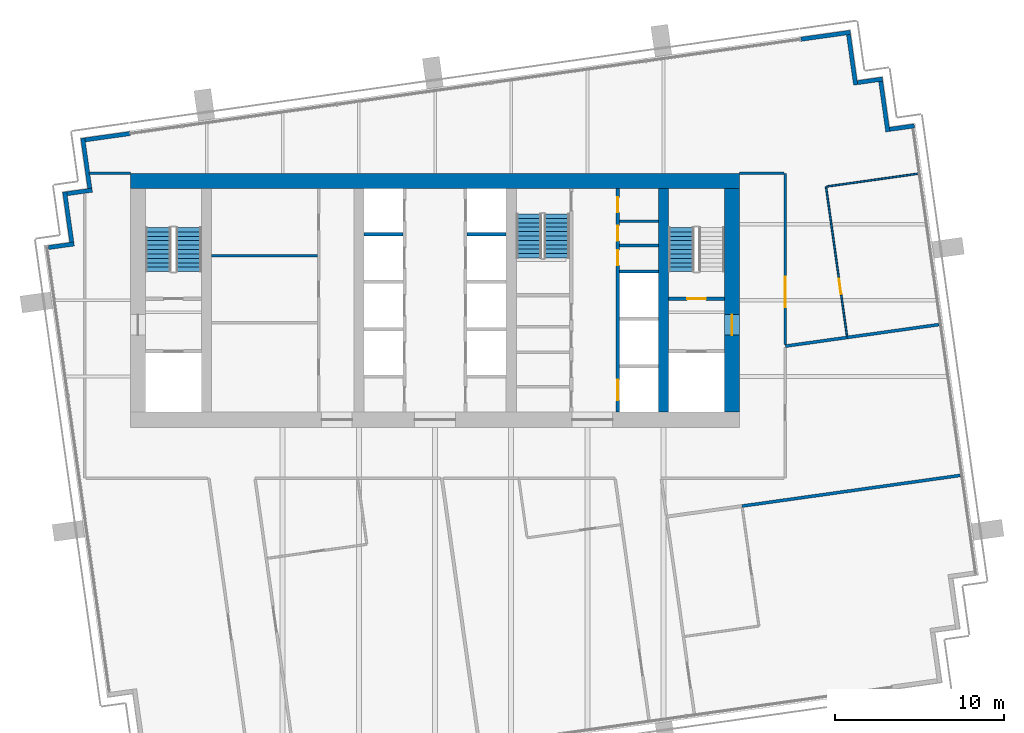
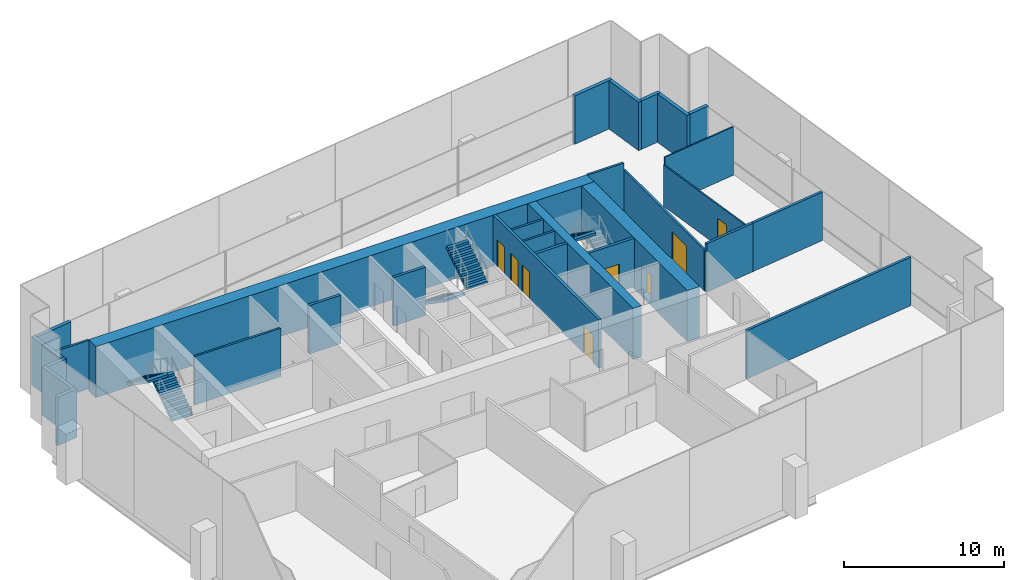
# One storey, part 11 of 17: 29 walls, 8 doors, 5 stair flights, 8 openings, 3 elements without a shape of their own.
"""IFC4 building model written with IfcOpenShell, lengths in metres."""

from ifc_helpers import new_model, si_unit, direction, frame, frame_2d, origin, place, context, subcontext, project, spatial, polyline, rectangle, outline, extrude, material, layer, layer_set, type_object, element, fill, aggregate, save


model = new_model("IFC4")

# Units and contexts
model_context = context("Model", 3, precision=1e-05, world=origin(), true_north=direction((0.0, 1.0)))
body_context = subcontext(model_context, "Body", "Model", "MODEL_VIEW")
ifc_project = project(units=[si_unit("LENGTHUNIT", "METRE"), si_unit("AREAUNIT", "SQUARE_METRE"), si_unit("VOLUMEUNIT", "CUBIC_METRE"), si_unit("PLANEANGLEUNIT", "RADIAN"), si_unit("MASSUNIT", "GRAM", prefix="KILO")], contexts=[model_context])

# Site, building, storey
site_placement = place(None, origin())
site = spatial("IfcSite", under=ifc_project, at=site_placement, CompositionType="ELEMENT")
building_placement = place(site_placement, origin())
building = spatial("IfcBuilding", under=site, at=building_placement, Name="Rattan Terrace Tower", CompositionType="ELEMENT")
storey_placement = place(building_placement, frame((0.0, 0.0, 236.89990234375)))
storey = spatial("IfcBuildingStorey", under=building, at=storey_placement, Name="L54", CompositionType="ELEMENT", Elevation=236.89990234375)

# Walls
ifc_material_1 = material(Name="Gypsum board partition")
ifc_layer_1 = layer(ifc_material_1, 0.14990234375)
ifc_layer_set_1 = layer_set([ifc_layer_1], Name="Core partition 150")
wall_type_1 = type_object("IfcWallType", Name="Core partition 150", PredefinedType="PARTITIONING", material=ifc_layer_set_1)
wall_1_placement = place(storey_placement, frame((-13.199951171875, 2.639892578125, 0.0), z_axis=(0.0, 0.0, 1.0), x_axis=(1.0, 0.0, 0.0)))
element("IfcWall", 1, at=wall_1_placement, inside=storey, type_object=wall_type_1, Name="Core room wall", PredefinedType="PARTITIONING", context=body_context, shape_type="SweptSolid", body=[
    extrude(rectangle(XDim=6.25, YDim=0.14990234375, at=frame_2d((3.125, 0.0))), origin(), (0.0, 0.0, 1.0), 3.7001953125),
])
for number, where, z_axis, x_axis, name in (
    (2, (10.89990234375, 3.239990234375, 0.0), (0.0, 0.0, 1.0), (1.0, 0.0, 0.0), "Riser room wall"),
    (3, (10.89990234375, 4.679931640625, 0.0), (0.0, 0.0, 1.0), (1.0, 0.0, 0.0), "Riser room wall"),
):
    element("IfcWall", number, at=place(storey_placement, frame(where, z_axis=z_axis, x_axis=x_axis)), inside=storey, type_object=wall_type_1, Name=name, PredefinedType="PARTITIONING", context=body_context, shape_type="SweptSolid", body=[
        extrude(rectangle(XDim=2.300048828125, YDim=0.14990234375, at=frame_2d((1.14990234375, 0.0))), origin(), (0.0, 0.0, 1.0), 3.7001953125),
    ])

# Wall, opening, door
ifc_material_2 = material(Name="Gypsum board partition")
ifc_layer_2 = layer(ifc_material_2, 0.199951171875)
ifc_layer_set_2 = layer_set([ifc_layer_2], Name="Core partition 200")
wall_type_2 = type_object("IfcWallType", Name="Core partition 200", PredefinedType="PARTITIONING", material=ifc_layer_set_2)
wall_2_placement = place(storey_placement, frame((13.800048828125, 0.10009765625, 0.0), z_axis=(0.0, 0.0, 1.0), x_axis=(1.0, 0.0, 0.0)))
wall_2 = element("IfcWall", 4, at=wall_2_placement, inside=storey, type_object=wall_type_2, Name="Stair enclosure wall", PredefinedType="PARTITIONING", context=body_context, shape_type="SweptSolid", body=[
    extrude(rectangle(XDim=3.300048828125, YDim=0.199951171875, at=frame_2d((1.64990234375, 0.0))), origin(), (0.0, 0.0, 1.0), 3.7001953125),
])
opening_1_placement = place(wall_2_placement, frame((1.10009765625, 0.0, 0.0)))
opening_1 = element("IfcOpeningElement", 5, at=opening_1_placement, cuts=wall_2, Name="Opening L54-D004", PredefinedType="OPENING", context=body_context, shape_type="SweptSolid", body=[
    extrude(rectangle(XDim=1.10009765625, YDim=2.10009765625, at=frame_2d((0.550048828125, 1.050048828125))), frame((0.0, 0.110595703125, 0.0), z_axis=(0.0, -1.0, 0.0), x_axis=(1.0, 0.0, 0.0)), (0.0, 0.0, 1.0), 0.220947265625),
])
ifc_material_3 = material(Name="Hollow-metal fire door leaf")
door_type_1 = type_object("IfcDoorType", Name="Core stair door 1100", OperationType="NOTDEFINED", PredefinedType="DOOR", material=ifc_material_3)
door_1_placement = place(opening_1_placement, origin())
door_1 = element("IfcDoor", 6, at=door_1_placement, inside=storey, type_object=door_type_1, Name="Door L54-D004", OperationType="SINGLE_SWING_LEFT", OverallHeight=2.10009765625, OverallWidth=1.10009765625, PredefinedType="DOOR", context=body_context, shape_type="SweptSolid", body=[
    extrude(rectangle(XDim=1.10009765625, YDim=2.10009765625, at=frame_2d((0.550048828125, 1.050048828125))), frame((0.0, 0.02490234375, 0.0), z_axis=(0.0, -1.0, 0.0), x_axis=(1.0, 0.0, 0.0)), (0.0, 0.0, 1.0), 0.050048828125),
])
fill(opening_1, door_1)

# Wall
ifc_material_4 = material(Name="Concrete C50/60", Category="concrete")
ifc_layer_3 = layer(ifc_material_4, 0.89990234375)
ifc_layer_set_3 = layer_set([ifc_layer_3], Name="Core ring wall 900 C50/60")
wall_type_3 = type_object("IfcWallType", Name="Core ring wall 900 C50/60", PredefinedType="SHEAR", material=ifc_layer_set_3)
wall_3_placement = place(storey_placement, frame((-18.0, 7.050048828125, -0.199951171875), z_axis=(0.0, 0.0, 1.0), x_axis=(1.0, 0.0, 0.0)))
element("IfcWall", 7, at=wall_3_placement, inside=storey, type_object=wall_type_3, Name="Rear core wall north", PredefinedType="SHEAR", context=body_context, shape_type="SweptSolid", body=[
    extrude(rectangle(XDim=36.0, YDim=0.89990234375, at=frame_2d((18.0, 0.0))), origin(), (0.0, 0.0, 1.0), 3.900146484375),
])

# Wall, opening, door
wall_4_placement = place(storey_placement, frame((17.550048828125, -6.60009765625, -0.199951171875), z_axis=(0.0, 0.0, 1.0), x_axis=(0.0, 1.0, 0.0)))
wall_4 = element("IfcWall", 8, at=wall_4_placement, inside=storey, type_object=wall_type_3, Name="Rear core wall east", PredefinedType="SHEAR", context=body_context, shape_type="SweptSolid", body=[
    extrude(rectangle(XDim=13.2001953125, YDim=0.89990234375, at=frame_2d((6.60009765625, 0.0))), origin(), (0.0, 0.0, 1.0), 3.900146484375),
])
opening_2_placement = place(wall_4_placement, frame((4.550048828125, 0.0, 0.199951171875)))
opening_2 = element("IfcOpeningElement", 9, at=opening_2_placement, cuts=wall_4, Name="Opening L54-D003", PredefinedType="OPENING", context=body_context, shape_type="SweptSolid", body=[
    extrude(rectangle(XDim=1.199951171875, YDim=2.10009765625, at=frame_2d((0.60009765625, 1.050048828125))), frame((0.0, 0.46044921875, 0.0), z_axis=(0.0, -1.0, 0.0), x_axis=(1.0, 0.0, 0.0)), (0.0, 0.0, 1.0), 0.9208984375),
])
ifc_material_5 = material(Name="Hollow-metal fire door leaf")
door_type_2 = type_object("IfcDoorType", Name="Core fire-fighting lobby door 1200", OperationType="NOTDEFINED", PredefinedType="DOOR", material=ifc_material_5)
door_2_placement = place(opening_2_placement, origin())
door_2 = element("IfcDoor", 10, at=door_2_placement, inside=storey, type_object=door_type_2, Name="Door L54-D003", OperationType="SINGLE_SWING_RIGHT", OverallHeight=2.10009765625, OverallWidth=1.199951171875, PredefinedType="DOOR", context=body_context, shape_type="SweptSolid", body=[
    extrude(rectangle(XDim=1.199951171875, YDim=2.10009765625, at=frame_2d((0.60009765625, 1.050048828125))), frame((0.0, 0.02490234375, 0.0), z_axis=(0.0, -1.0, 0.0), x_axis=(1.0, 0.0, 0.0)), (0.0, 0.0, 1.0), 0.050048828125),
])
fill(opening_2, door_2)

# Walls
ifc_material_6 = material(Name="Concrete C50/60", Category="concrete")
ifc_layer_4 = layer(ifc_material_6, 0.60009765625)
ifc_layer_set_4 = layer_set([ifc_layer_4], Name="Core spine wall 600 C50/60")
wall_type_4 = type_object("IfcWallType", Name="Core spine wall 600 C50/60", PredefinedType="SHEAR", material=ifc_layer_set_4)
wall_5_placement = place(storey_placement, frame((13.5, -6.60009765625, -0.199951171875), z_axis=(0.0, 0.0, 1.0), x_axis=(0.0, 1.0, 0.0)))
element("IfcWall", 11, at=wall_5_placement, inside=storey, type_object=wall_type_4, Name="Core spine wall 4", PredefinedType="SHEAR", context=body_context, shape_type="SweptSolid", body=[
    extrude(rectangle(XDim=13.2001953125, YDim=0.60009765625, at=frame_2d((6.60009765625, 0.0))), origin(), (0.0, 0.0, 1.0), 3.900146484375),
])
ifc_material_7 = material(Name="Insulated aluminium-clad stud wall", Category="aluminium")
ifc_layer_5 = layer(ifc_material_7, 0.25)
ifc_layer_set_5 = layer_set([ifc_layer_5], Name="Facade Riser Wall 250")
wall_type_5 = type_object("IfcWallType", Name="Facade Riser Wall 250", PredefinedType="SOLIDWALL", material=ifc_layer_set_5)
wall_6_placement = place(storey_placement, frame((28.322265625, 10.308837890625, 0.0), z_axis=(0.0, 0.0, 1.0), x_axis=(-0.990235520307, -0.13940449893, 0.0)))
element("IfcWall", 12, at=wall_6_placement, inside=storey, type_object=wall_type_5, Name="Riser wall L54-6", PredefinedType="SOLIDWALL", context=body_context, shape_type="SweptSolid", body=[
    extrude(rectangle(XDim=1.474609375, YDim=0.25, at=frame_2d((0.7373046875, 0.0))), origin(), (0.0, 0.0, 1.0), 3.7001953125),
])
wall_7_placement = place(storey_placement, frame((26.755859375, 9.962158203125, 0.0), z_axis=(0.0, 0.0, 1.0), x_axis=(-0.139393225799, 0.990237107263, 0.0)))
element("IfcWall", 13, at=wall_7_placement, inside=storey, type_object=wall_type_5, Name="Riser wall L54-7", PredefinedType="SOLIDWALL", context=body_context, shape_type="SweptSolid", body=[
    extrude(rectangle(XDim=3.000244140625, YDim=0.25, at=frame_2d((1.5, 0.0))), origin(), (0.0, 0.0, 1.0), 3.7001953125),
])
wall_8_placement = place(storey_placement, frame((26.444091796875, 13.074462890625, 0.0), z_axis=(0.0, 0.0, 1.0), x_axis=(-0.990240434918, -0.139369584395, 0.0)))
element("IfcWall", 14, at=wall_8_placement, inside=storey, type_object=wall_type_5, Name="Riser wall L54-8", PredefinedType="SOLIDWALL", context=body_context, shape_type="SweptSolid", body=[
    extrude(rectangle(XDim=1.49951171875, YDim=0.25, at=frame_2d((0.749755859375, 0.0))), origin(), (0.0, 0.0, 1.0), 3.7001953125),
])
wall_9_placement = place(storey_placement, frame((24.852783203125, 12.72412109375, 0.0), z_axis=(0.0, 0.0, 1.0), x_axis=(-0.139302206688, 0.990249915532, 0.0)))
element("IfcWall", 15, at=wall_9_placement, inside=storey, type_object=wall_type_5, Name="Riser wall L54-9", PredefinedType="SOLIDWALL", context=body_context, shape_type="SweptSolid", body=[
    extrude(rectangle(XDim=3.00048828125, YDim=0.25, at=frame_2d((1.500244140625, 0.0))), origin(), (0.0, 0.0, 1.0), 3.7001953125),
])
wall_10_placement = place(storey_placement, frame((24.541015625, 15.83642578125, 0.0), z_axis=(0.0, 0.0, 1.0), x_axis=(-0.990285396533, -0.139049751574, 0.0)))
element("IfcWall", 16, at=wall_10_placement, inside=storey, type_object=wall_type_5, Name="Riser wall L54-10", PredefinedType="SOLIDWALL", context=body_context, shape_type="SweptSolid", body=[
    extrude(rectangle(XDim=2.955078125, YDim=0.25, at=frame_2d((1.4775390625, 0.0))), origin(), (0.0, 0.0, 1.0), 3.7001953125),
])
wall_11_placement = place(storey_placement, frame((-17.995361328125, 9.858642578125, 0.0), z_axis=(0.0, 0.0, 1.0), x_axis=(-0.99024510326, -0.139336411139, 0.0)))
element("IfcWall", 17, at=wall_11_placement, inside=storey, type_object=wall_type_5, Name="Riser wall L54-11", PredefinedType="SOLIDWALL", context=body_context, shape_type="SweptSolid", body=[
    extrude(rectangle(XDim=2.705322265625, YDim=0.25, at=frame_2d((1.3525390625, 0.0))), origin(), (0.0, 0.0, 1.0), 3.7001953125),
])
wall_12_placement = place(storey_placement, frame((-20.8154296875, 9.588134765625, 0.0), z_axis=(0.0, 0.0, 1.0), x_axis=(0.138983028379, -0.9902947631, 0.0)))
element("IfcWall", 18, at=wall_12_placement, inside=storey, type_object=wall_type_5, Name="Riser wall L54-12", PredefinedType="SOLIDWALL", context=body_context, shape_type="SweptSolid", body=[
    extrude(rectangle(XDim=3.000244140625, YDim=0.25, at=frame_2d((1.5, 0.0))), origin(), (0.0, 0.0, 1.0), 3.7001953125),
])
wall_13_placement = place(storey_placement, frame((-20.25732421875, 6.510498046875, 0.0), z_axis=(0.0, 0.0, 1.0), x_axis=(-0.990330117064, -0.138730887823, 0.0)))
element("IfcWall", 19, at=wall_13_placement, inside=storey, type_object=wall_type_5, Name="Riser wall L54-13", PredefinedType="SOLIDWALL", context=body_context, shape_type="SweptSolid", body=[
    extrude(rectangle(XDim=1.499267578125, YDim=0.25, at=frame_2d((0.74951171875, 0.0))), origin(), (0.0, 0.0, 1.0), 3.7001953125),
])
wall_14_placement = place(storey_placement, frame((-21.88330078125, 6.408935546875, 0.0), z_axis=(0.0, 0.0, 1.0), x_axis=(0.139324658755, -0.990246756855, 0.0)))
element("IfcWall", 20, at=wall_14_placement, inside=storey, type_object=wall_type_5, Name="Riser wall L54-14", PredefinedType="SOLIDWALL", context=body_context, shape_type="SweptSolid", body=[
    extrude(rectangle(XDim=3.0, YDim=0.25, at=frame_2d((1.5, 0.0))), origin(), (0.0, 0.0, 1.0), 3.7001953125),
])
wall_15_placement = place(storey_placement, frame((-21.32421875, 3.331787109375, 0.0), z_axis=(0.0, 0.0, 1.0), x_axis=(-0.990238641016, -0.139382329723, 0.0)))
element("IfcWall", 21, at=wall_15_placement, inside=storey, type_object=wall_type_5, Name="Riser wall L54-15", PredefinedType="SOLIDWALL", context=body_context, shape_type="SweptSolid", body=[
    extrude(rectangle(XDim=1.525634765625, YDim=0.25, at=frame_2d((0.7626953125, 0.0))), origin(), (0.0, 0.0, 1.0), 3.7001953125),
])
ifc_material_8 = material(Name="Double steel stud acoustic partition, gypsum board, mineral wool, fire rated", Category="steel")
ifc_layer_6 = layer(ifc_material_8, 0.179931640625)
ifc_layer_set_6 = layer_set([ifc_layer_6], Name="Floors Acoustic Party Wall 180")
wall_type_6 = type_object("IfcWallType", Name="Floors Acoustic Party Wall 180", PredefinedType="PARTITIONING", material=ifc_layer_set_6)
wall_16_placement = place(storey_placement, frame((18.14111328125, -12.156982421875, 0.0), z_axis=(0.0, 0.0, 1.0), x_axis=(0.99026760598, 0.139176393637, 0.0)))
element("IfcWall", 22, at=wall_16_placement, inside=storey, type_object=wall_type_6, Name="pt-L54-022", PredefinedType="PARTITIONING", context=body_context, shape_type="SweptSolid", body=[
    extrude(rectangle(XDim=13.01953125, YDim=0.179931640625, at=frame_2d((6.509765625, 0.0))), origin(), (0.0, 0.0, 1.0), 3.7001953125),
])
wall_17_placement = place(storey_placement, frame((20.698974609375, -2.7080078125, 0.0), z_axis=(0.0, 0.0, 1.0), x_axis=(0.990268752824, 0.139168233375, 0.0)))
element("IfcWall", 23, at=wall_17_placement, inside=storey, type_object=wall_type_6, Name="pt-L54-024", PredefinedType="PARTITIONING", context=body_context, shape_type="SweptSolid", body=[
    extrude(rectangle(XDim=3.671630859375, YDim=0.179931640625, at=frame_2d((1.8359375, 0.0))), origin(), (0.0, 0.0, 1.0), 3.7001953125),
])
wall_18_placement = place(storey_placement, frame((24.3359375, -2.197021484375, 0.0), z_axis=(0.0, 0.0, 1.0), x_axis=(0.990274457527, 0.139127634818, 0.0)))
element("IfcWall", 24, at=wall_18_placement, inside=storey, type_object=wall_type_6, Name="pt-L54-025", PredefinedType="PARTITIONING", context=body_context, shape_type="SweptSolid", body=[
    extrude(rectangle(XDim=5.49951171875, YDim=0.179931640625, at=frame_2d((2.749755859375, 0.0))), origin(), (0.0, 0.0, 1.0), 3.7001953125),
])

# Wall, opening, door
ifc_material_9 = material(Name="Gypsum board partition on steel studs", Category="steel")
ifc_layer_7 = layer(ifc_material_9, 0.10009765625)
ifc_layer_set_7 = layer_set([ifc_layer_7], Name="Floors Partition 100")
wall_type_7 = type_object("IfcWallType", Name="Floors Partition 100", PredefinedType="PARTITIONING", material=ifc_layer_set_7)
wall_19_placement = place(storey_placement, frame((23.10205078125, 6.718017578125, 0.0), z_axis=(0.0, 0.0, 1.0), x_axis=(0.139172960551, -0.990268088475, 0.0)))
wall_19 = element("IfcWall", 25, at=wall_19_placement, inside=storey, type_object=wall_type_7, Name="pt-L54-026", PredefinedType="PARTITIONING", context=body_context, shape_type="SweptSolid", body=[
    extrude(rectangle(XDim=8.90966796875, YDim=0.10009765625, at=frame_2d((4.454833984375, 0.0))), origin(), (0.0, 0.0, 1.0), 3.150146484375),
])
opening_3_placement = place(wall_19_placement, frame((5.507080078125, 0.0, 0.0)))
opening_3 = element("IfcOpeningElement", 26, at=opening_3_placement, cuts=wall_19, Name="Opening L54-D105", PredefinedType="OPENING", context=body_context, shape_type="SweptSolid", body=[
    extrude(rectangle(XDim=0.89990234375, YDim=2.10009765625, at=frame_2d((0.449951171875, 1.050048828125))), frame((0.0, 0.060546875, 0.0), z_axis=(0.0, -1.0, 0.0), x_axis=(1.0, 0.0, 0.0)), (0.0, 0.0, 1.0), 0.12109375),
])
ifc_material_10 = material(Name="Solid core timber door, painted", Category="wood")
door_type_3 = type_object("IfcDoorType", Name="Floors Door 900x2100", OperationType="NOTDEFINED", PredefinedType="DOOR", material=ifc_material_10)
door_3_placement = place(opening_3_placement, origin())
door_3 = element("IfcDoor", 27, at=door_3_placement, inside=storey, type_object=door_type_3, Name="d-L54-105", OperationType="SINGLE_SWING_RIGHT", OverallHeight=2.10009765625, OverallWidth=0.89990234375, PredefinedType="DOOR", context=body_context, shape_type="SweptSolid", body=[
    extrude(rectangle(XDim=0.89990234375, YDim=2.10009765625, at=frame_2d((0.449951171875, 1.050048828125))), frame((0.0, 0.02490234375, 0.0), z_axis=(0.0, -1.0, 0.0), x_axis=(1.0, 0.0, 0.0)), (0.0, 0.0, 1.0), 0.050048828125),
])
fill(opening_3, door_3)

# Walls
wall_20_placement = place(storey_placement, frame((28.528076171875, 7.47998046875, 0.0), z_axis=(0.0, 0.0, 1.0), x_axis=(-0.990284853007, -0.139053622411, 0.0)))
element("IfcWall", 28, at=wall_20_placement, inside=storey, type_object=wall_type_7, Name="pt-L54-027", PredefinedType="PARTITIONING", context=body_context, shape_type="SweptSolid", body=[
    extrude(rectangle(XDim=5.4287109375, YDim=0.10009765625, at=frame_2d((2.71435546875, 0.0))), origin(), (0.0, 0.0, 1.0), 3.7001953125),
])
ifc_material_11 = material(Name="Gypsum board partition on steel studs, fire rated", Category="steel")
ifc_layer_8 = layer(ifc_material_11, 0.14990234375)
ifc_layer_set_8 = layer_set([ifc_layer_8], Name="Floors Tenancy Wall 150")
wall_type_8 = type_object("IfcWallType", Name="Floors Tenancy Wall 150", PredefinedType="PARTITIONING", material=ifc_layer_set_8)
wall_21_placement = place(storey_placement, frame((-20.430908203125, 7.5, 0.0), z_axis=(0.0, 0.0, 1.0), x_axis=(1.0, 0.0, 0.0)))
element("IfcWall", 29, at=wall_21_placement, inside=storey, type_object=wall_type_8, Name="pt-L54-009", PredefinedType="PARTITIONING", context=body_context, shape_type="SweptSolid", body=[
    extrude(rectangle(XDim=2.430908203125, YDim=0.14990234375, at=frame_2d((1.21533203125, 0.0))), origin(), (0.0, 0.0, 1.0), 3.7001953125),
])
wall_22_placement = place(storey_placement, frame((18.0, 7.5009765625, 0.0), z_axis=(0.0, 0.0, 1.0), x_axis=(1.0, 0.0, 0.0)))
element("IfcWall", 30, at=wall_22_placement, inside=storey, type_object=wall_type_8, Name="pt-L54-010", PredefinedType="PARTITIONING", context=body_context, shape_type="SweptSolid", body=[
    extrude(rectangle(XDim=2.625, YDim=0.14990234375, at=frame_2d((1.3125, 0.0))), origin(), (0.0, 0.0, 1.0), 3.7001953125),
])

# Wall, opening, door
wall_23_placement = place(storey_placement, frame((20.699951171875, 7.5, 0.0), z_axis=(0.0, 0.0, 1.0), x_axis=(0.0, -1.0, 0.0)))
wall_23 = element("IfcWall", 31, at=wall_23_placement, inside=storey, type_object=wall_type_8, Name="pt-L54-011", PredefinedType="PARTITIONING", context=body_context, shape_type="SweptSolid", body=[
    extrude(rectangle(XDim=10.10595703125, YDim=0.14990234375, at=frame_2d((5.052978515625, 0.0))), origin(), (0.0, 0.0, 1.0), 3.150146484375),
])
opening_4_placement = place(wall_23_placement, frame((6.10498046875, 0.0, 0.0)))
opening_4 = element("IfcOpeningElement", 32, at=opening_4_placement, cuts=wall_23, Name="Opening L54-D104", PredefinedType="OPENING", context=body_context, shape_type="SweptSolid", body=[
    extrude(rectangle(XDim=1.800048828125, YDim=2.10009765625, at=frame_2d((0.89990234375, 1.050048828125))), frame((0.0, 0.08544921875, 0.0), z_axis=(0.0, -1.0, 0.0), x_axis=(1.0, 0.0, 0.0)), (0.0, 0.0, 1.0), 0.1708984375),
])
ifc_material_12 = material(Name="Steel fire door set", Category="steel")
door_type_4 = type_object("IfcDoorType", Name="Floors Fire Door Pair FD30S 1800x2100", OperationType="NOTDEFINED", PredefinedType="DOOR", material=ifc_material_12)
door_4_placement = place(opening_4_placement, origin())
door_4 = element("IfcDoor", 33, at=door_4_placement, inside=storey, type_object=door_type_4, Name="d-L54-104", OperationType="DOUBLE_DOOR_SINGLE_SWING", OverallHeight=2.10009765625, OverallWidth=1.800048828125, PredefinedType="DOOR", context=body_context, shape_type="SweptSolid", body=[
    extrude(rectangle(XDim=1.800048828125, YDim=2.10009765625, at=frame_2d((0.89990234375, 1.050048828125))), frame((0.0, 0.02490234375, 0.0), z_axis=(0.0, -1.0, 0.0), x_axis=(1.0, 0.0, 0.0)), (0.0, 0.0, 1.0), 0.050048828125),
])
fill(opening_4, door_4)

# Walls
ifc_material_13 = material(Name="Gypsum shaft wall system")
ifc_layer_9 = layer(ifc_material_13, 0.199951171875)
ifc_layer_set_9 = layer_set([ifc_layer_9], Name="Lift shaft wall 200")
wall_type_9 = type_object("IfcWallType", Name="Lift shaft wall 200", PredefinedType="PARTITIONING", material=ifc_layer_set_9)
for number, where, z_axis, x_axis, name in (
    (34, (-4.199951171875, 3.89990234375, 0.0), (0.0, 0.0, 1.0), (1.0, 0.0, 0.0), "Lift shaft wall"),
    (35, (1.89990234375, 3.89990234375, 0.0), (0.0, 0.0, 1.0), (1.0, 0.0, 0.0), "Lift shaft wall"),
):
    element("IfcWall", number, at=place(storey_placement, frame(where, z_axis=z_axis, x_axis=x_axis)), inside=storey, type_object=wall_type_9, Name=name, PredefinedType="PARTITIONING", context=body_context, shape_type="SweptSolid", body=[
        extrude(rectangle(XDim=2.300048828125, YDim=0.199951171875, at=frame_2d((1.14990234375, 0.0))), origin(), (0.0, 0.0, 1.0), 3.7001953125),
    ])

# Wall, openings, doors
wall_24_placement = place(storey_placement, frame((10.800048828125, -6.60009765625, 0.0), z_axis=(0.0, 0.0, 1.0), x_axis=(0.0, 1.0, 0.0)))
wall_24 = element("IfcWall", 36, at=wall_24_placement, inside=storey, type_object=wall_type_9, Name="Lift shaft front wall", PredefinedType="PARTITIONING", context=body_context, shape_type="SweptSolid", body=[
    extrude(rectangle(XDim=13.2001953125, YDim=0.199951171875, at=frame_2d((6.60009765625, 0.0))), origin(), (0.0, 0.0, 1.0), 3.7001953125),
])
opening_5_placement = place(wall_24_placement, frame((0.699951171875, 0.0, 0.0)))
opening_5 = element("IfcOpeningElement", 37, at=opening_5_placement, cuts=wall_24, Name="Opening L54-LD-SV1", PredefinedType="OPENING", context=body_context, shape_type="SweptSolid", body=[
    extrude(rectangle(XDim=1.199951171875, YDim=2.10009765625, at=frame_2d((0.60009765625, 1.050048828125))), frame((0.0, 0.110595703125, 0.0), z_axis=(0.0, -1.0, 0.0), x_axis=(1.0, 0.0, 0.0)), (0.0, 0.0, 1.0), 0.220947265625),
])
opening_6_placement = place(wall_24_placement, frame((8.669921875, 0.0, 0.0)))
opening_6 = element("IfcOpeningElement", 38, at=opening_6_placement, cuts=wall_24, Name="Opening L54-D018", PredefinedType="OPENING", context=body_context, shape_type="SweptSolid", body=[
    extrude(rectangle(XDim=0.89990234375, YDim=2.10009765625, at=frame_2d((0.449951171875, 1.050048828125))), frame((0.0, 0.110595703125, 0.0), z_axis=(0.0, -1.0, 0.0), x_axis=(1.0, 0.0, 0.0)), (0.0, 0.0, 1.0), 0.220947265625),
])
opening_7_placement = place(wall_24_placement, frame((10.110107421875, 0.0, 0.0)))
opening_7 = element("IfcOpeningElement", 39, at=opening_7_placement, cuts=wall_24, Name="Opening L54-D019", PredefinedType="OPENING", context=body_context, shape_type="SweptSolid", body=[
    extrude(rectangle(XDim=0.89990234375, YDim=2.10009765625, at=frame_2d((0.449951171875, 1.050048828125))), frame((0.0, 0.110595703125, 0.0), z_axis=(0.0, -1.0, 0.0), x_axis=(1.0, 0.0, 0.0)), (0.0, 0.0, 1.0), 0.220947265625),
])
opening_8_placement = place(wall_24_placement, frame((11.7900390625, 0.0, 0.0)))
opening_8 = element("IfcOpeningElement", 40, at=opening_8_placement, cuts=wall_24, Name="Opening L54-D020", PredefinedType="OPENING", context=body_context, shape_type="SweptSolid", body=[
    extrude(rectangle(XDim=0.89990234375, YDim=2.10009765625, at=frame_2d((0.449951171875, 1.050048828125))), frame((0.0, 0.110595703125, 0.0), z_axis=(0.0, -1.0, 0.0), x_axis=(1.0, 0.0, 0.0)), (0.0, 0.0, 1.0), 0.220947265625),
])
ifc_material_14 = material(Name="Brushed stainless landing door panel")
door_type_5 = type_object("IfcDoorType", Name="Core lift landing door 1200", OperationType="DOUBLE_DOOR_SLIDING", PredefinedType="DOOR", material=ifc_material_14)
door_5_placement = place(opening_5_placement, origin())
door_5 = element("IfcDoor", 41, at=door_5_placement, inside=storey, type_object=door_type_5, Name="Door L54-LD-SV1", OperationType="DOUBLE_DOOR_SLIDING", OverallHeight=2.10009765625, OverallWidth=1.199951171875, PredefinedType="DOOR", context=body_context, shape_type="SweptSolid", body=[
    extrude(rectangle(XDim=1.199951171875, YDim=2.10009765625, at=frame_2d((0.60009765625, 1.050048828125))), frame((0.0, 0.02490234375, 0.0), z_axis=(0.0, -1.0, 0.0), x_axis=(1.0, 0.0, 0.0)), (0.0, 0.0, 1.0), 0.050048828125),
])
fill(opening_5, door_5)
ifc_material_15 = material(Name="Hollow-metal fire door leaf")
door_type_6 = type_object("IfcDoorType", Name="Core riser door 900", OperationType="NOTDEFINED", PredefinedType="DOOR", material=ifc_material_15)
door_6_placement = place(opening_6_placement, origin())
door_6 = element("IfcDoor", 42, at=door_6_placement, inside=storey, type_object=door_type_6, Name="Door L54-D018", OperationType="SINGLE_SWING_LEFT", OverallHeight=2.10009765625, OverallWidth=0.89990234375, PredefinedType="DOOR", context=body_context, shape_type="SweptSolid", body=[
    extrude(rectangle(XDim=0.89990234375, YDim=2.10009765625, at=frame_2d((0.449951171875, 1.050048828125))), frame((0.0, 0.02490234375, 0.0), z_axis=(0.0, -1.0, 0.0), x_axis=(1.0, 0.0, 0.0)), (0.0, 0.0, 1.0), 0.050048828125),
])
fill(opening_6, door_6)
door_7_placement = place(opening_7_placement, origin())
door_7 = element("IfcDoor", 43, at=door_7_placement, inside=storey, type_object=door_type_6, Name="Door L54-D019", OperationType="SINGLE_SWING_RIGHT", OverallHeight=2.10009765625, OverallWidth=0.89990234375, PredefinedType="DOOR", context=body_context, shape_type="SweptSolid", body=[
    extrude(rectangle(XDim=0.89990234375, YDim=2.10009765625, at=frame_2d((0.449951171875, 1.050048828125))), frame((0.0, 0.02490234375, 0.0), z_axis=(0.0, -1.0, 0.0), x_axis=(1.0, 0.0, 0.0)), (0.0, 0.0, 1.0), 0.050048828125),
])
fill(opening_7, door_7)
ifc_material_16 = material(Name="Hollow-metal fire door leaf")
door_type_7 = type_object("IfcDoorType", Name="Core service room door 900", OperationType="NOTDEFINED", PredefinedType="DOOR", material=ifc_material_16)
door_8_placement = place(opening_8_placement, origin())
door_8 = element("IfcDoor", 44, at=door_8_placement, inside=storey, type_object=door_type_7, Name="Door L54-D020", OperationType="SINGLE_SWING_LEFT", OverallHeight=2.10009765625, OverallWidth=0.89990234375, PredefinedType="DOOR", context=body_context, shape_type="SweptSolid", body=[
    extrude(rectangle(XDim=0.89990234375, YDim=2.10009765625, at=frame_2d((0.449951171875, 1.050048828125))), frame((0.0, 0.02490234375, 0.0), z_axis=(0.0, -1.0, 0.0), x_axis=(1.0, 0.0, 0.0)), (0.0, 0.0, 1.0), 0.050048828125),
])
fill(opening_8, door_8)

# Wall
wall_25_placement = place(storey_placement, frame((10.89990234375, 1.699951171875, 0.0), z_axis=(0.0, 0.0, 1.0), x_axis=(1.0, 0.0, 0.0)))
element("IfcWall", 45, at=wall_25_placement, inside=storey, type_object=wall_type_9, Name="Lift shaft wall", PredefinedType="PARTITIONING", context=body_context, shape_type="SweptSolid", body=[
    extrude(rectangle(XDim=2.300048828125, YDim=0.199951171875, at=frame_2d((1.14990234375, 0.0))), origin(), (0.0, 0.0, 1.0), 3.7001953125),
])

# Stair, stair flights
ifc_material_17 = material(Name="Concrete C40/50", Category="concrete")
stair_type = type_object("IfcStairType", Name="Core exit stair 1500", PredefinedType="HALF_TURN_STAIR", material=ifc_material_17)
stair_1_placement = place(storey_placement, origin())
stair_1 = element("IfcStair", 46, at=stair_1_placement, inside=storey, type_object=stair_type, Name="L54 exit stair 1", PredefinedType="HALF_TURN_STAIR")
ifc_material_18 = material(Name="Concrete C40/50", Category="concrete")
stair_flight_type = type_object("IfcStairFlightType", Name="Core exit stair flight 1500", PredefinedType="STRAIGHT", material=ifc_material_18)
stair_flight_1_placement = place(storey_placement, frame((-14.550048828125, 1.699951171875, 0.0), z_axis=(0.0, 0.0, 1.0), x_axis=(0.0, 1.0, 0.0)))
stair_flight_1 = element("IfcStairFlight", 47, at=stair_flight_1_placement, type_object=stair_flight_type, Name="S1 flight 1", NumberOfRisers=11, NumberOfTreads=10, PredefinedType="STRAIGHT", RiserHeight=0.177272727, TreadLength=0.26, context=body_context, shape_type="SweptSolid", body=[
    extrude(outline(polyline([(0.0, 0.0), (0.0, 0.17724609375), (0.260009765625, 0.17724609375), (0.260009765625, 0.3544921875), (0.52001953125, 0.3544921875), (0.52001953125, 0.53173828125), (0.780029296875, 0.53173828125), (0.780029296875, 0.708984375), (1.0400390625, 0.708984375), (1.0400390625, 0.886474609375), (1.300048828125, 0.886474609375), (1.300048828125, 1.063720703125), (1.56005859375, 1.063720703125), (1.56005859375, 1.240966796875), (1.820068359375, 1.240966796875), (1.820068359375, 1.418212890625), (2.080078125, 1.418212890625), (2.080078125, 1.595458984375), (2.340087890625, 1.595458984375), (2.340087890625, 1.772705078125), (2.60009765625, 1.772705078125), (2.60009765625, 1.949951171875), (2.60009765625, 1.59130859375), (0.26611328125, 0.0), (0.0, 0.0)])), frame((0.0, 0.75, 0.0), z_axis=(0.0, -1.0, 0.0), x_axis=(1.0, 0.0, 0.0)), (0.0, 0.0, 1.0), 1.5),
])
stair_flight_2_placement = place(storey_placement, frame((-16.35009765625, 4.300048828125, 1.9501953125), z_axis=(0.0, 0.0, 1.0), x_axis=(0.0, -1.0, 0.0)))
stair_flight_2 = element("IfcStairFlight", 48, at=stair_flight_2_placement, type_object=stair_flight_type, Name="S1 flight 2", NumberOfRisers=11, NumberOfTreads=10, PredefinedType="STRAIGHT", RiserHeight=0.177272727, TreadLength=0.26, context=body_context, shape_type="SweptSolid", body=[
    extrude(outline(polyline([(0.0, 0.0), (0.0, 0.17724609375), (0.260009765625, 0.17724609375), (0.260009765625, 0.3544921875), (0.52001953125, 0.3544921875), (0.52001953125, 0.53173828125), (0.780029296875, 0.53173828125), (0.780029296875, 0.708984375), (1.0400390625, 0.708984375), (1.0400390625, 0.886474609375), (1.300048828125, 0.886474609375), (1.300048828125, 1.063720703125), (1.56005859375, 1.063720703125), (1.56005859375, 1.240966796875), (1.820068359375, 1.240966796875), (1.820068359375, 1.418212890625), (2.080078125, 1.418212890625), (2.080078125, 1.595458984375), (2.340087890625, 1.595458984375), (2.340087890625, 1.772705078125), (2.60009765625, 1.772705078125), (2.60009765625, 1.949951171875), (2.60009765625, 1.59130859375), (0.26611328125, 0.0), (0.0, 0.0)])), frame((0.0, 0.75, 0.0), z_axis=(0.0, -1.0, 0.0), x_axis=(1.0, 0.0, 0.0)), (0.0, 0.0, 1.0), 1.5),
])
aggregate(stair_1, [stair_flight_1, stair_flight_2])

# Stair, stair flight
stair_2_placement = place(storey_placement, origin())
stair_2 = element("IfcStair", 49, at=stair_2_placement, inside=storey, type_object=stair_type, Name="L54 exit stair 2", PredefinedType="HALF_TURN_STAIR")
stair_flight_3_placement = place(storey_placement, frame((14.550048828125, 4.300048828125, 1.9501953125), z_axis=(0.0, 0.0, 1.0), x_axis=(0.0, -1.0, 0.0)))
stair_flight_3 = element("IfcStairFlight", 50, at=stair_flight_3_placement, type_object=stair_flight_type, Name="S2 flight 2", NumberOfRisers=11, NumberOfTreads=10, PredefinedType="STRAIGHT", RiserHeight=0.177272727, TreadLength=0.26, context=body_context, shape_type="SweptSolid", body=[
    extrude(outline(polyline([(0.0, 0.0), (0.0, 0.17724609375), (0.260009765625, 0.17724609375), (0.260009765625, 0.3544921875), (0.52001953125, 0.3544921875), (0.52001953125, 0.53173828125), (0.780029296875, 0.53173828125), (0.780029296875, 0.708984375), (1.0400390625, 0.708984375), (1.0400390625, 0.886474609375), (1.300048828125, 0.886474609375), (1.300048828125, 1.063720703125), (1.56005859375, 1.063720703125), (1.56005859375, 1.240966796875), (1.820068359375, 1.240966796875), (1.820068359375, 1.418212890625), (2.080078125, 1.418212890625), (2.080078125, 1.595458984375), (2.340087890625, 1.595458984375), (2.340087890625, 1.772705078125), (2.60009765625, 1.772705078125), (2.60009765625, 1.949951171875), (2.60009765625, 1.59130859375), (0.26611328125, 0.0), (0.0, 0.0)])), frame((0.0, 0.75, 0.0), z_axis=(0.0, -1.0, 0.0), x_axis=(1.0, 0.0, 0.0)), (0.0, 0.0, 1.0), 1.5),
])
aggregate(stair_2, [stair_flight_3])

# Stair, stair flights
stair_3_placement = place(storey_placement, origin())
stair_3 = element("IfcStair", 51, at=stair_3_placement, inside=storey, type_object=stair_type, Name="L54 exit stair 3", PredefinedType="HALF_TURN_STAIR")
stair_flight_4_placement = place(storey_placement, frame((5.550048828125, 5.10009765625, 0.0), z_axis=(0.0, 0.0, 1.0), x_axis=(0.0, -1.0, 0.0)))
stair_flight_4 = element("IfcStairFlight", 52, at=stair_flight_4_placement, type_object=stair_flight_type, Name="S3 flight 1", NumberOfRisers=11, NumberOfTreads=10, PredefinedType="STRAIGHT", RiserHeight=0.177272727, TreadLength=0.26, context=body_context, shape_type="SweptSolid", body=[
    extrude(outline(polyline([(0.0, 0.0), (0.0, 0.17724609375), (0.260009765625, 0.17724609375), (0.260009765625, 0.3544921875), (0.52001953125, 0.3544921875), (0.52001953125, 0.53173828125), (0.780029296875, 0.53173828125), (0.780029296875, 0.708984375), (1.0400390625, 0.708984375), (1.0400390625, 0.886474609375), (1.300048828125, 0.886474609375), (1.300048828125, 1.063720703125), (1.56005859375, 1.063720703125), (1.56005859375, 1.240966796875), (1.820068359375, 1.240966796875), (1.820068359375, 1.418212890625), (2.080078125, 1.418212890625), (2.080078125, 1.595458984375), (2.340087890625, 1.595458984375), (2.340087890625, 1.772705078125), (2.60009765625, 1.772705078125), (2.60009765625, 1.949951171875), (2.60009765625, 1.59130859375), (0.26611328125, 0.0), (0.0, 0.0)])), frame((0.0, 0.75, 0.0), z_axis=(0.0, -1.0, 0.0), x_axis=(1.0, 0.0, 0.0)), (0.0, 0.0, 1.0), 1.5),
])
stair_flight_5_placement = place(storey_placement, frame((7.199951171875, 2.5, 1.9501953125), z_axis=(0.0, 0.0, 1.0), x_axis=(0.0, 1.0, 0.0)))
stair_flight_5 = element("IfcStairFlight", 53, at=stair_flight_5_placement, type_object=stair_flight_type, Name="S3 flight 2", NumberOfRisers=11, NumberOfTreads=10, PredefinedType="STRAIGHT", RiserHeight=0.177272727, TreadLength=0.26, context=body_context, shape_type="SweptSolid", body=[
    extrude(outline(polyline([(0.0, 0.0), (0.0, 0.17724609375), (0.260009765625, 0.17724609375), (0.260009765625, 0.3544921875), (0.52001953125, 0.3544921875), (0.52001953125, 0.53173828125), (0.780029296875, 0.53173828125), (0.780029296875, 0.708984375), (1.0400390625, 0.708984375), (1.0400390625, 0.886474609375), (1.300048828125, 0.886474609375), (1.300048828125, 1.063720703125), (1.56005859375, 1.063720703125), (1.56005859375, 1.240966796875), (1.820068359375, 1.240966796875), (1.820068359375, 1.418212890625), (2.080078125, 1.418212890625), (2.080078125, 1.595458984375), (2.340087890625, 1.595458984375), (2.340087890625, 1.772705078125), (2.60009765625, 1.772705078125), (2.60009765625, 1.949951171875), (2.60009765625, 1.59130859375), (0.26611328125, 0.0), (0.0, 0.0)])), frame((0.0, 0.75, 0.0), z_axis=(0.0, -1.0, 0.0), x_axis=(1.0, 0.0, 0.0)), (0.0, 0.0, 1.0), 1.5),
])
aggregate(stair_3, [stair_flight_4, stair_flight_5])

save(model, "model.ifc")
